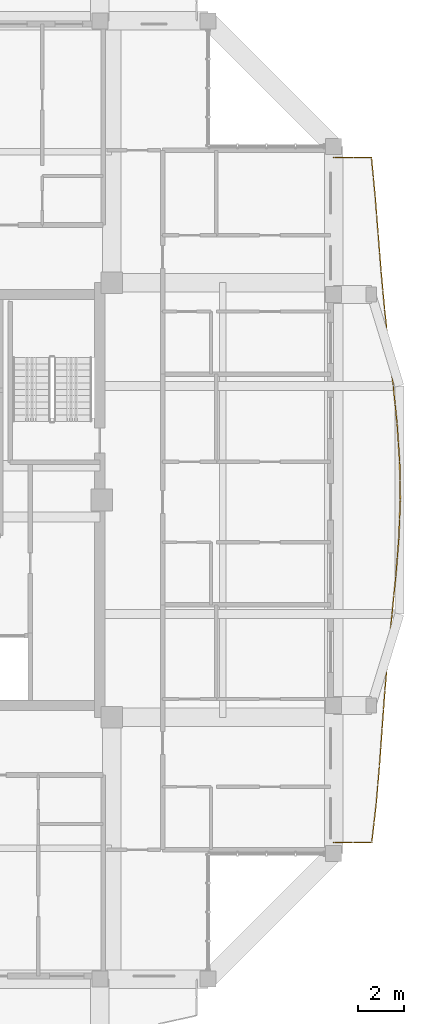
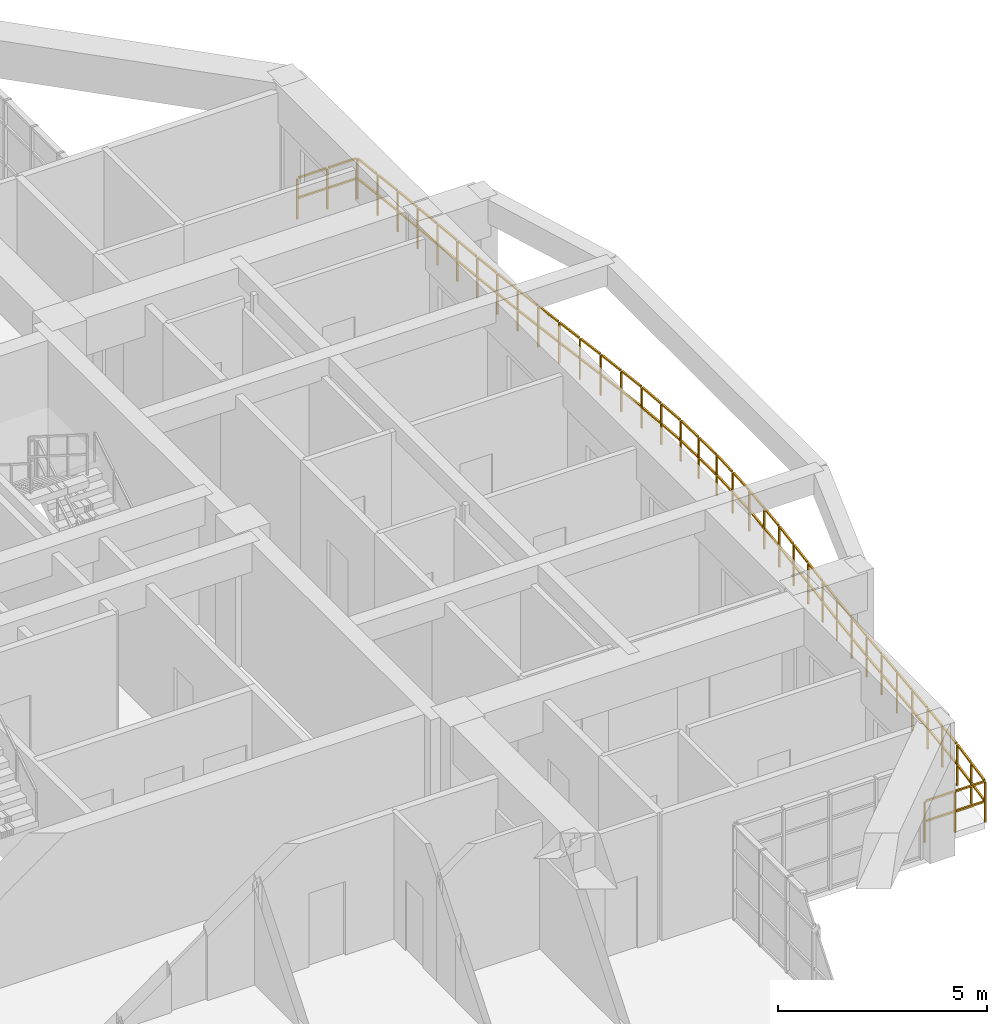
# One storey, part 26 of 27: 1 railing.
"""IFC4 building model written with IfcOpenShell, lengths in metres."""

from ifc_helpers import new_model, si_unit, direction, frame, origin, origin_2d, place, context, subcontext, project, spatial, rectangle, extrude, material, type_object, element, save


model = new_model("IFC4")

# Units and contexts
model_context = context("Model", 3, precision=1e-05, world=origin(), true_north=direction((0.0, 1.0)))
body_context = subcontext(model_context, "Body", "Model", "MODEL_VIEW")
ifc_project = project(units=[si_unit("LENGTHUNIT", "METRE"), si_unit("AREAUNIT", "SQUARE_METRE"), si_unit("VOLUMEUNIT", "CUBIC_METRE"), si_unit("PLANEANGLEUNIT", "RADIAN"), si_unit("MASSUNIT", "GRAM", prefix="KILO")], contexts=[model_context])

# Site, building, storey
site_placement = place(None, origin())
site = spatial("IfcSite", under=ifc_project, at=site_placement, CompositionType="ELEMENT")
building_placement = place(site_placement, origin())
building = spatial("IfcBuilding", under=site, at=building_placement, Name="Saelheon Loggia Tower", CompositionType="ELEMENT")
storey_placement = place(building_placement, frame((0.0, 0.0, 226.199951171875)))
storey = spatial("IfcBuildingStorey", under=building, at=storey_placement, Name="L70", CompositionType="ELEMENT", Elevation=226.199951171875)

# Railing
ifc_material = material(Name="Architectural Precast Concrete and Laminated Glass Guard", Category="concrete")
railing_type = type_object("IfcRailingType", Name="Guard_Loggia_RL_LOG", PredefinedType="BALUSTRADE", material=ifc_material)
railing_placement = place(storey_placement, frame((54.75, 12.0, 0.0)))
element("IfcRailing", 1, at=railing_placement, inside=storey, type_object=railing_type, Name="L70 East Loggia Balustrade", PredefinedType="BALUSTRADE", context=body_context, shape_type="SweptSolid", body=[
    extrude(rectangle(XDim=0.048095703125, YDim=0.048095703125, at=origin_2d()), frame((0.033203125, 0.0, 1.19580078125), z_axis=(1.0, 0.0, 0.0), x_axis=(0.0, 1.0, 0.0)), (0.0, 0.0, 1.0), 0.7685546875),
    extrude(rectangle(XDim=0.048095703125, YDim=0.048095703125, at=origin_2d()), frame((0.033203125, 0.0, 0.60986328125), z_axis=(1.0, 0.0, 0.0), x_axis=(0.0, 1.0, 0.0)), (0.0, 0.0, 1.0), 0.7685546875),
    extrude(rectangle(XDim=0.048095703125, YDim=0.048095703125, at=origin_2d()), frame((0.8681640625, 0.0, 1.19580078125), z_axis=(1.0, 0.0, 0.0), x_axis=(0.0, 1.0, 0.0)), (0.0, 0.0, 1.0), 0.7685546875),
    extrude(rectangle(XDim=0.048095703125, YDim=0.048095703125, at=origin_2d()), frame((0.8681640625, 0.0, 0.60986328125), z_axis=(1.0, 0.0, 0.0), x_axis=(0.0, 1.0, 0.0)), (0.0, 0.0, 1.0), 0.7685546875),
    extrude(rectangle(XDim=0.048095703125, YDim=0.048095703125, at=origin_2d()), frame((1.673828125, 0.032958984375, 1.19580078125), z_axis=(0.113944689513, 0.993487094899, 0.0), x_axis=(-0.993487094899, 0.113944689513, 0.0)), (0.0, 0.0, 1.0), 0.7724609375),
    extrude(rectangle(XDim=0.048095703125, YDim=0.048095703125, at=origin_2d()), frame((1.673828125, 0.032958984375, 0.60986328125), z_axis=(0.113944689513, 0.993487094899, 0.0), x_axis=(-0.993487094899, 0.113944689513, 0.0)), (0.0, 0.0, 1.0), 0.7724609375),
    extrude(rectangle(XDim=0.048095703125, YDim=0.048095703125, at=origin_2d()), frame((1.769287109375, 0.866455078125, 1.19580078125), z_axis=(0.113944689513, 0.993487094899, 0.0), x_axis=(-0.993487094899, 0.113944689513, 0.0)), (0.0, 0.0, 1.0), 0.7724609375),
    extrude(rectangle(XDim=0.048095703125, YDim=0.048095703125, at=origin_2d()), frame((1.769287109375, 0.866455078125, 0.60986328125), z_axis=(0.113944689513, 0.993487094899, 0.0), x_axis=(-0.993487094899, 0.113944689513, 0.0)), (0.0, 0.0, 1.0), 0.7724609375),
    extrude(rectangle(XDim=0.048095703125, YDim=0.048095703125, at=origin_2d()), frame((1.864013671875, 1.699951171875, 1.19580078125), z_axis=(0.085823395114, 0.996310365725, 0.0), x_axis=(-0.996310365725, 0.085823395114, 0.0)), (0.0, 0.0, 1.0), 0.769775390625),
    extrude(rectangle(XDim=0.048095703125, YDim=0.048095703125, at=origin_2d()), frame((1.864013671875, 1.699951171875, 0.60986328125), z_axis=(0.085823395114, 0.996310365725, 0.0), x_axis=(-0.996310365725, 0.085823395114, 0.0)), (0.0, 0.0, 1.0), 0.769775390625),
    extrude(rectangle(XDim=0.048095703125, YDim=0.048095703125, at=origin_2d()), frame((1.935791015625, 2.533203125, 1.19580078125), z_axis=(0.085823395114, 0.996310365725, 0.0), x_axis=(-0.996310365725, 0.085823395114, 0.0)), (0.0, 0.0, 1.0), 0.769775390625),
    extrude(rectangle(XDim=0.048095703125, YDim=0.048095703125, at=origin_2d()), frame((1.935791015625, 2.533203125, 0.60986328125), z_axis=(0.085823395114, 0.996310365725, 0.0), x_axis=(-0.996310365725, 0.085823395114, 0.0)), (0.0, 0.0, 1.0), 0.769775390625),
    extrude(rectangle(XDim=0.048095703125, YDim=0.048095703125, at=origin_2d()), frame((2.007080078125, 3.366455078125, 1.19580078125), z_axis=(0.071153601195, 0.997465370345, 0.0), x_axis=(-0.997465370345, 0.071153601195, 0.0)), (0.0, 0.0, 1.0), 0.76904296875),
    extrude(rectangle(XDim=0.048095703125, YDim=0.048095703125, at=origin_2d()), frame((2.007080078125, 3.366455078125, 0.60986328125), z_axis=(0.071153601195, 0.997465370345, 0.0), x_axis=(-0.997465370345, 0.071153601195, 0.0)), (0.0, 0.0, 1.0), 0.76904296875),
    extrude(rectangle(XDim=0.048095703125, YDim=0.048095703125, at=origin_2d()), frame((2.06640625, 4.19970703125, 1.19580078125), z_axis=(0.071153601195, 0.997465370345, 0.0), x_axis=(-0.997465370345, 0.071153601195, 0.0)), (0.0, 0.0, 1.0), 0.76904296875),
    extrude(rectangle(XDim=0.048095703125, YDim=0.048095703125, at=origin_2d()), frame((2.06640625, 4.19970703125, 0.60986328125), z_axis=(0.071153601195, 0.997465370345, 0.0), x_axis=(-0.997465370345, 0.071153601195, 0.0)), (0.0, 0.0, 1.0), 0.76904296875),
    extrude(rectangle(XDim=0.048095703125, YDim=0.048095703125, at=origin_2d()), frame((2.1259765625, 5.033203125, 1.19580078125), z_axis=(0.073188280205, 0.997318141638, 0.0), x_axis=(-0.997318141638, 0.073188280205, 0.0)), (0.0, 0.0, 1.0), 0.76904296875),
    extrude(rectangle(XDim=0.048095703125, YDim=0.048095703125, at=origin_2d()), frame((2.1259765625, 5.033203125, 0.60986328125), z_axis=(0.073188280205, 0.997318141638, 0.0), x_axis=(-0.997318141638, 0.073188280205, 0.0)), (0.0, 0.0, 1.0), 0.76904296875),
    extrude(rectangle(XDim=0.048095703125, YDim=0.048095703125, at=origin_2d()), frame((2.18701171875, 5.866455078125, 1.19580078125), z_axis=(0.073188280205, 0.997318141638, 0.0), x_axis=(-0.997318141638, 0.073188280205, 0.0)), (0.0, 0.0, 1.0), 0.76904296875),
    extrude(rectangle(XDim=0.048095703125, YDim=0.048095703125, at=origin_2d()), frame((2.18701171875, 5.866455078125, 0.60986328125), z_axis=(0.073188280205, 0.997318141638, 0.0), x_axis=(-0.997318141638, 0.073188280205, 0.0)), (0.0, 0.0, 1.0), 0.76904296875),
    extrude(rectangle(XDim=0.048095703125, YDim=0.048095703125, at=origin_2d()), frame((2.248779296875, 6.699951171875, 1.19580078125), z_axis=(0.086402883771, 0.996260278078, 0.0), x_axis=(-0.996260278078, 0.086402883771, 0.0)), (0.0, 0.0, 1.0), 0.77001953125),
    extrude(rectangle(XDim=0.048095703125, YDim=0.048095703125, at=origin_2d()), frame((2.248779296875, 6.699951171875, 0.60986328125), z_axis=(0.086402883771, 0.996260278078, 0.0), x_axis=(-0.996260278078, 0.086402883771, 0.0)), (0.0, 0.0, 1.0), 0.77001953125),
    extrude(rectangle(XDim=0.048095703125, YDim=0.048095703125, at=origin_2d()), frame((2.321044921875, 7.533203125, 1.19580078125), z_axis=(0.086402883771, 0.996260278078, 0.0), x_axis=(-0.996260278078, 0.086402883771, 0.0)), (0.0, 0.0, 1.0), 0.77001953125),
    extrude(rectangle(XDim=0.048095703125, YDim=0.048095703125, at=origin_2d()), frame((2.321044921875, 7.533203125, 0.60986328125), z_axis=(0.086402883771, 0.996260278078, 0.0), x_axis=(-0.996260278078, 0.086402883771, 0.0)), (0.0, 0.0, 1.0), 0.77001953125),
    extrude(rectangle(XDim=0.048095703125, YDim=0.048095703125, at=origin_2d()), frame((2.393798828125, 8.3662109375, 1.19580078125), z_axis=(0.099258387695, 0.995061692797, 0.0), x_axis=(-0.995061692797, 0.099258387695, 0.0)), (0.0, 0.0, 1.0), 0.77099609375),
    extrude(rectangle(XDim=0.048095703125, YDim=0.048095703125, at=origin_2d()), frame((2.393798828125, 8.3662109375, 0.60986328125), z_axis=(0.099258387695, 0.995061692797, 0.0), x_axis=(-0.995061692797, 0.099258387695, 0.0)), (0.0, 0.0, 1.0), 0.77099609375),
    extrude(rectangle(XDim=0.048095703125, YDim=0.048095703125, at=origin_2d()), frame((2.476806640625, 9.19970703125, 1.19580078125), z_axis=(0.099258387695, 0.995061692797, 0.0), x_axis=(-0.995061692797, 0.099258387695, 0.0)), (0.0, 0.0, 1.0), 0.77099609375),
    extrude(rectangle(XDim=0.048095703125, YDim=0.048095703125, at=origin_2d()), frame((2.476806640625, 9.19970703125, 0.60986328125), z_axis=(0.099258387695, 0.995061692797, 0.0), x_axis=(-0.995061692797, 0.099258387695, 0.0)), (0.0, 0.0, 1.0), 0.77099609375),
    extrude(rectangle(XDim=0.048095703125, YDim=0.048095703125, at=origin_2d()), frame((2.56005859375, 10.032958984375, 1.19580078125), z_axis=(0.099258387695, 0.995061692797, 0.0), x_axis=(-0.995061692797, 0.099258387695, 0.0)), (0.0, 0.0, 1.0), 0.77099609375),
    extrude(rectangle(XDim=0.048095703125, YDim=0.048095703125, at=origin_2d()), frame((2.56005859375, 10.032958984375, 0.60986328125), z_axis=(0.099258387695, 0.995061692797, 0.0), x_axis=(-0.995061692797, 0.099258387695, 0.0)), (0.0, 0.0, 1.0), 0.77099609375),
    extrude(rectangle(XDim=0.048095703125, YDim=0.048095703125, at=origin_2d()), frame((2.64306640625, 10.866455078125, 1.19580078125), z_axis=(0.099258387695, 0.995061692797, 0.0), x_axis=(-0.995061692797, 0.099258387695, 0.0)), (0.0, 0.0, 1.0), 0.77099609375),
    extrude(rectangle(XDim=0.048095703125, YDim=0.048095703125, at=origin_2d()), frame((2.64306640625, 10.866455078125, 0.60986328125), z_axis=(0.099258387695, 0.995061692797, 0.0), x_axis=(-0.995061692797, 0.099258387695, 0.0)), (0.0, 0.0, 1.0), 0.77099609375),
    extrude(rectangle(XDim=0.048095703125, YDim=0.048095703125, at=origin_2d()), frame((2.7255859375, 11.699951171875, 1.19580078125), z_axis=(0.078717763251, 0.996896942391, 0.0), x_axis=(-0.996896942391, 0.078717763251, 0.0)), (0.0, 0.0, 1.0), 0.769287109375),
    extrude(rectangle(XDim=0.048095703125, YDim=0.048095703125, at=origin_2d()), frame((2.7255859375, 11.699951171875, 0.60986328125), z_axis=(0.078717763251, 0.996896942391, 0.0), x_axis=(-0.996896942391, 0.078717763251, 0.0)), (0.0, 0.0, 1.0), 0.769287109375),
    extrude(rectangle(XDim=0.048095703125, YDim=0.048095703125, at=origin_2d()), frame((2.791259765625, 12.533203125, 1.19580078125), z_axis=(0.078717763251, 0.996896942391, 0.0), x_axis=(-0.996896942391, 0.078717763251, 0.0)), (0.0, 0.0, 1.0), 0.769287109375),
    extrude(rectangle(XDim=0.048095703125, YDim=0.048095703125, at=origin_2d()), frame((2.791259765625, 12.533203125, 0.60986328125), z_axis=(0.078717763251, 0.996896942391, 0.0), x_axis=(-0.996896942391, 0.078717763251, 0.0)), (0.0, 0.0, 1.0), 0.769287109375),
    extrude(rectangle(XDim=0.048095703125, YDim=0.048095703125, at=origin_2d()), frame((2.855712890625, 13.366455078125, 1.19580078125), z_axis=(0.037179491042, 0.999308603709, 0.0), x_axis=(-0.999308603709, 0.037179491042, 0.0)), (0.0, 0.0, 1.0), 0.767578125),
    extrude(rectangle(XDim=0.048095703125, YDim=0.048095703125, at=origin_2d()), frame((2.855712890625, 13.366455078125, 0.60986328125), z_axis=(0.037179491042, 0.999308603709, 0.0), x_axis=(-0.999308603709, 0.037179491042, 0.0)), (0.0, 0.0, 1.0), 0.767578125),
    extrude(rectangle(XDim=0.048095703125, YDim=0.048095703125, at=origin_2d()), frame((2.88671875, 14.199951171875, 1.19580078125), z_axis=(0.037179491042, 0.999308603709, 0.0), x_axis=(-0.999308603709, 0.037179491042, 0.0)), (0.0, 0.0, 1.0), 0.767578125),
    extrude(rectangle(XDim=0.048095703125, YDim=0.048095703125, at=origin_2d()), frame((2.88671875, 14.199951171875, 0.60986328125), z_axis=(0.037179491042, 0.999308603709, 0.0), x_axis=(-0.999308603709, 0.037179491042, 0.0)), (0.0, 0.0, 1.0), 0.767578125),
    extrude(rectangle(XDim=0.048095703125, YDim=0.048095703125, at=origin_2d()), frame((2.916015625, 15.033203125, 1.19580078125), z_axis=(-0.015817560951, 0.999874894557, 0.0), x_axis=(-0.999874894557, -0.015817560951, 0.0)), (0.0, 0.0, 1.0), 0.76708984375),
    extrude(rectangle(XDim=0.048095703125, YDim=0.048095703125, at=origin_2d()), frame((2.916015625, 15.033203125, 0.60986328125), z_axis=(-0.015817560951, 0.999874894557, 0.0), x_axis=(-0.999874894557, -0.015817560951, 0.0)), (0.0, 0.0, 1.0), 0.76708984375),
    extrude(rectangle(XDim=0.048095703125, YDim=0.048095703125, at=origin_2d()), frame((2.90283203125, 15.86669921875, 1.19580078125), z_axis=(-0.015817560951, 0.999874894557, 0.0), x_axis=(-0.999874894557, -0.015817560951, 0.0)), (0.0, 0.0, 1.0), 0.76708984375),
    extrude(rectangle(XDim=0.048095703125, YDim=0.048095703125, at=origin_2d()), frame((2.90283203125, 15.86669921875, 0.60986328125), z_axis=(-0.015817560951, 0.999874894557, 0.0), x_axis=(-0.999874894557, -0.015817560951, 0.0)), (0.0, 0.0, 1.0), 0.76708984375),
    extrude(rectangle(XDim=0.048095703125, YDim=0.048095703125, at=origin_2d()), frame((2.887939453125, 16.699951171875, 1.19580078125), z_axis=(-0.066509308686, 0.997785804598, 0.0), x_axis=(-0.997785804598, -0.066509308686, 0.0)), (0.0, 0.0, 1.0), 0.7685546875),
    extrude(rectangle(XDim=0.048095703125, YDim=0.048095703125, at=origin_2d()), frame((2.887939453125, 16.699951171875, 0.60986328125), z_axis=(-0.066509308686, 0.997785804598, 0.0), x_axis=(-0.997785804598, -0.066509308686, 0.0)), (0.0, 0.0, 1.0), 0.7685546875),
    extrude(rectangle(XDim=0.048095703125, YDim=0.048095703125, at=origin_2d()), frame((2.832275390625, 17.533203125, 1.19580078125), z_axis=(-0.066509308686, 0.997785804598, 0.0), x_axis=(-0.997785804598, -0.066509308686, 0.0)), (0.0, 0.0, 1.0), 0.7685546875),
    extrude(rectangle(XDim=0.048095703125, YDim=0.048095703125, at=origin_2d()), frame((2.832275390625, 17.533203125, 0.60986328125), z_axis=(-0.066509308686, 0.997785804598, 0.0), x_axis=(-0.997785804598, -0.066509308686, 0.0)), (0.0, 0.0, 1.0), 0.7685546875),
    extrude(rectangle(XDim=0.048095703125, YDim=0.048095703125, at=origin_2d()), frame((2.775634765625, 18.3662109375, 1.19580078125), z_axis=(-0.101855086203, 0.99479924679, 0.0), x_axis=(-0.99479924679, -0.101855086203, 0.0)), (0.0, 0.0, 1.0), 0.771240234375),
    extrude(rectangle(XDim=0.048095703125, YDim=0.048095703125, at=origin_2d()), frame((2.775634765625, 18.3662109375, 0.60986328125), z_axis=(-0.101855086203, 0.99479924679, 0.0), x_axis=(-0.99479924679, -0.101855086203, 0.0)), (0.0, 0.0, 1.0), 0.771240234375),
    extrude(rectangle(XDim=0.048095703125, YDim=0.048095703125, at=origin_2d()), frame((2.6904296875, 19.19970703125, 1.19580078125), z_axis=(-0.101855086203, 0.99479924679, 0.0), x_axis=(-0.99479924679, -0.101855086203, 0.0)), (0.0, 0.0, 1.0), 0.771240234375),
    extrude(rectangle(XDim=0.048095703125, YDim=0.048095703125, at=origin_2d()), frame((2.6904296875, 19.19970703125, 0.60986328125), z_axis=(-0.101855086203, 0.99479924679, 0.0), x_axis=(-0.99479924679, -0.101855086203, 0.0)), (0.0, 0.0, 1.0), 0.771240234375),
    extrude(rectangle(XDim=0.048095703125, YDim=0.048095703125, at=origin_2d()), frame((2.6044921875, 20.032958984375, 1.19580078125), z_axis=(-0.11494995089, 0.99337128446, 0.0), x_axis=(-0.99337128446, -0.11494995089, 0.0)), (0.0, 0.0, 1.0), 0.7724609375),
    extrude(rectangle(XDim=0.048095703125, YDim=0.048095703125, at=origin_2d()), frame((2.6044921875, 20.032958984375, 0.60986328125), z_axis=(-0.11494995089, 0.99337128446, 0.0), x_axis=(-0.99337128446, -0.11494995089, 0.0)), (0.0, 0.0, 1.0), 0.7724609375),
    extrude(rectangle(XDim=0.048095703125, YDim=0.048095703125, at=origin_2d()), frame((2.508056640625, 20.866455078125, 1.19580078125), z_axis=(-0.11494995089, 0.99337128446, 0.0), x_axis=(-0.99337128446, -0.11494995089, 0.0)), (0.0, 0.0, 1.0), 0.7724609375),
    extrude(rectangle(XDim=0.048095703125, YDim=0.048095703125, at=origin_2d()), frame((2.508056640625, 20.866455078125, 0.60986328125), z_axis=(-0.11494995089, 0.99337128446, 0.0), x_axis=(-0.99337128446, -0.11494995089, 0.0)), (0.0, 0.0, 1.0), 0.7724609375),
    extrude(rectangle(XDim=0.048095703125, YDim=0.048095703125, at=origin_2d()), frame((2.411865234375, 21.69970703125, 1.19580078125), z_axis=(-0.108641144333, 0.994081033799, 0.0), x_axis=(-0.994081033799, -0.108641144333, 0.0)), (0.0, 0.0, 1.0), 0.771728515625),
    extrude(rectangle(XDim=0.048095703125, YDim=0.048095703125, at=origin_2d()), frame((2.411865234375, 21.69970703125, 0.60986328125), z_axis=(-0.108641144333, 0.994081033799, 0.0), x_axis=(-0.994081033799, -0.108641144333, 0.0)), (0.0, 0.0, 1.0), 0.771728515625),
    extrude(rectangle(XDim=0.048095703125, YDim=0.048095703125, at=origin_2d()), frame((2.32080078125, 22.532958984375, 1.19580078125), z_axis=(-0.108641144333, 0.994081033799, 0.0), x_axis=(-0.994081033799, -0.108641144333, 0.0)), (0.0, 0.0, 1.0), 0.771728515625),
    extrude(rectangle(XDim=0.048095703125, YDim=0.048095703125, at=origin_2d()), frame((2.32080078125, 22.532958984375, 0.60986328125), z_axis=(-0.108641144333, 0.994081033799, 0.0), x_axis=(-0.994081033799, -0.108641144333, 0.0)), (0.0, 0.0, 1.0), 0.771728515625),
    extrude(rectangle(XDim=0.048095703125, YDim=0.048095703125, at=origin_2d()), frame((2.230224609375, 23.366455078125, 1.19580078125), z_axis=(-0.092179464317, 0.995742409641, 0.0), x_axis=(-0.995742409641, -0.092179464317, 0.0)), (0.0, 0.0, 1.0), 0.7705078125),
    extrude(rectangle(XDim=0.048095703125, YDim=0.048095703125, at=origin_2d()), frame((2.230224609375, 23.366455078125, 0.60986328125), z_axis=(-0.092179464317, 0.995742409641, 0.0), x_axis=(-0.995742409641, -0.092179464317, 0.0)), (0.0, 0.0, 1.0), 0.7705078125),
    extrude(rectangle(XDim=0.048095703125, YDim=0.048095703125, at=origin_2d()), frame((2.153076171875, 24.19970703125, 1.19580078125), z_axis=(-0.092179464317, 0.995742409641, 0.0), x_axis=(-0.995742409641, -0.092179464317, 0.0)), (0.0, 0.0, 1.0), 0.7705078125),
    extrude(rectangle(XDim=0.048095703125, YDim=0.048095703125, at=origin_2d()), frame((2.153076171875, 24.19970703125, 0.60986328125), z_axis=(-0.092179464317, 0.995742409641, 0.0), x_axis=(-0.995742409641, -0.092179464317, 0.0)), (0.0, 0.0, 1.0), 0.7705078125),
    extrude(rectangle(XDim=0.048095703125, YDim=0.048095703125, at=origin_2d()), frame((2.076416015625, 25.033203125, 1.19580078125), z_axis=(-0.078851420083, 0.996886379459, 0.0), x_axis=(-0.996886379459, -0.078851420083, 0.0)), (0.0, 0.0, 1.0), 0.76953125),
    extrude(rectangle(XDim=0.048095703125, YDim=0.048095703125, at=origin_2d()), frame((2.076416015625, 25.033203125, 0.60986328125), z_axis=(-0.078851420083, 0.996886379459, 0.0), x_axis=(-0.996886379459, -0.078851420083, 0.0)), (0.0, 0.0, 1.0), 0.76953125),
    extrude(rectangle(XDim=0.048095703125, YDim=0.048095703125, at=origin_2d()), frame((2.010498046875, 25.866455078125, 1.19580078125), z_axis=(-0.078851420083, 0.996886379459, 0.0), x_axis=(-0.996886379459, -0.078851420083, 0.0)), (0.0, 0.0, 1.0), 0.76953125),
    extrude(rectangle(XDim=0.048095703125, YDim=0.048095703125, at=origin_2d()), frame((2.010498046875, 25.866455078125, 0.60986328125), z_axis=(-0.078851420083, 0.996886379459, 0.0), x_axis=(-0.996886379459, -0.078851420083, 0.0)), (0.0, 0.0, 1.0), 0.76953125),
    extrude(rectangle(XDim=0.048095703125, YDim=0.048095703125, at=origin_2d()), frame((1.944580078125, 26.699951171875, 1.19580078125), z_axis=(-0.078717763251, 0.996896942391, 0.0), x_axis=(-0.996896942391, -0.078717763251, 0.0)), (0.0, 0.0, 1.0), 0.769287109375),
    extrude(rectangle(XDim=0.048095703125, YDim=0.048095703125, at=origin_2d()), frame((1.944580078125, 26.699951171875, 0.60986328125), z_axis=(-0.078717763251, 0.996896942391, 0.0), x_axis=(-0.996896942391, -0.078717763251, 0.0)), (0.0, 0.0, 1.0), 0.769287109375),
    extrude(rectangle(XDim=0.048095703125, YDim=0.048095703125, at=origin_2d()), frame((1.87890625, 27.533203125, 1.19580078125), z_axis=(-0.078717763251, 0.996896942391, 0.0), x_axis=(-0.996896942391, -0.078717763251, 0.0)), (0.0, 0.0, 1.0), 0.769287109375),
    extrude(rectangle(XDim=0.048095703125, YDim=0.048095703125, at=origin_2d()), frame((1.87890625, 27.533203125, 0.60986328125), z_axis=(-0.078717763251, 0.996896942391, 0.0), x_axis=(-0.996896942391, -0.078717763251, 0.0)), (0.0, 0.0, 1.0), 0.769287109375),
    extrude(rectangle(XDim=0.048095703125, YDim=0.048095703125, at=origin_2d()), frame((1.8125, 28.366455078125, 1.19580078125), z_axis=(-0.095215063938, 0.995456725126, 0.0), x_axis=(-0.995456725126, -0.095215063938, 0.0)), (0.0, 0.0, 1.0), 0.770751953125),
    extrude(rectangle(XDim=0.048095703125, YDim=0.048095703125, at=origin_2d()), frame((1.8125, 28.366455078125, 0.60986328125), z_axis=(-0.095215063938, 0.995456725126, 0.0), x_axis=(-0.995456725126, -0.095215063938, 0.0)), (0.0, 0.0, 1.0), 0.770751953125),
    extrude(rectangle(XDim=0.048095703125, YDim=0.048095703125, at=origin_2d()), frame((1.73291015625, 29.19970703125, 1.19580078125), z_axis=(-0.095215063938, 0.995456725126, 0.0), x_axis=(-0.995456725126, -0.095215063938, 0.0)), (0.0, 0.0, 1.0), 0.770751953125),
    extrude(rectangle(XDim=0.048095703125, YDim=0.048095703125, at=origin_2d()), frame((1.73291015625, 29.19970703125, 0.60986328125), z_axis=(-0.095215063938, 0.995456725126, 0.0), x_axis=(-0.995456725126, -0.095215063938, 0.0)), (0.0, 0.0, 1.0), 0.770751953125),
    extrude(rectangle(XDim=0.048095703125, YDim=0.048095703125, at=origin_2d()), frame((1.623046875, 30.0, 1.19580078125), z_axis=(-1.0, 0.0, 0.0), x_axis=(0.0, -1.0, 0.0)), (0.0, 0.0, 1.0), 0.76171875),
    extrude(rectangle(XDim=0.048095703125, YDim=0.048095703125, at=origin_2d()), frame((1.623046875, 30.0, 0.60986328125), z_axis=(-1.0, 0.0, 0.0), x_axis=(0.0, -1.0, 0.0)), (0.0, 0.0, 1.0), 0.76171875),
    extrude(rectangle(XDim=0.048095703125, YDim=0.048095703125, at=origin_2d()), frame((0.794921875, 30.0, 1.19580078125), z_axis=(-1.0, 0.0, 0.0), x_axis=(0.0, -1.0, 0.0)), (0.0, 0.0, 1.0), 0.76171875),
    extrude(rectangle(XDim=0.048095703125, YDim=0.048095703125, at=origin_2d()), frame((0.794921875, 30.0, 0.60986328125), z_axis=(-1.0, 0.0, 0.0), x_axis=(0.0, -1.0, 0.0)), (0.0, 0.0, 1.0), 0.76171875),
    extrude(rectangle(XDim=0.0419921875, YDim=0.0419921875, at=origin_2d()), origin(), (0.0, 0.0, 1.0), 1.16796875),
    extrude(rectangle(XDim=0.0419921875, YDim=0.0419921875, at=origin_2d()), frame((0.8349609375, 0.0, 0.0)), (0.0, 0.0, 1.0), 1.16796875),
    extrude(rectangle(XDim=0.0419921875, YDim=0.0419921875, at=origin_2d()), frame((1.669921875, 0.0, 0.0)), (0.0, 0.0, 1.0), 1.16796875),
    extrude(rectangle(XDim=0.0419921875, YDim=0.0419921875, at=origin_2d()), frame((1.765625, 0.83349609375, 0.0)), (0.0, 0.0, 1.0), 1.16796875),
    extrude(rectangle(XDim=0.0419921875, YDim=0.0419921875, at=origin_2d()), frame((1.861083984375, 1.666748046875, 0.0)), (0.0, 0.0, 1.0), 1.16796875),
    extrude(rectangle(XDim=0.0419921875, YDim=0.0419921875, at=origin_2d()), frame((1.932861328125, 2.5, 0.0)), (0.0, 0.0, 1.0), 1.16796875),
    extrude(rectangle(XDim=0.0419921875, YDim=0.0419921875, at=origin_2d()), frame((2.004638671875, 3.333251953125, 0.0)), (0.0, 0.0, 1.0), 1.16796875),
    extrude(rectangle(XDim=0.0419921875, YDim=0.0419921875, at=origin_2d()), frame((2.06396484375, 4.16650390625, 0.0)), (0.0, 0.0, 1.0), 1.16796875),
    extrude(rectangle(XDim=0.0419921875, YDim=0.0419921875, at=origin_2d()), frame((2.12353515625, 5.0, 0.0)), (0.0, 0.0, 1.0), 1.16796875),
    extrude(rectangle(XDim=0.0419921875, YDim=0.0419921875, at=origin_2d()), frame((2.1845703125, 5.83349609375, 0.0)), (0.0, 0.0, 1.0), 1.16796875),
    extrude(rectangle(XDim=0.0419921875, YDim=0.0419921875, at=origin_2d()), frame((2.245849609375, 6.666748046875, 0.0)), (0.0, 0.0, 1.0), 1.16796875),
    extrude(rectangle(XDim=0.0419921875, YDim=0.0419921875, at=origin_2d()), frame((2.318115234375, 7.5, 0.0)), (0.0, 0.0, 1.0), 1.16796875),
    extrude(rectangle(XDim=0.0419921875, YDim=0.0419921875, at=origin_2d()), frame((2.390380859375, 8.333251953125, 0.0)), (0.0, 0.0, 1.0), 1.16796875),
    extrude(rectangle(XDim=0.0419921875, YDim=0.0419921875, at=origin_2d()), frame((2.4736328125, 9.16650390625, 0.0)), (0.0, 0.0, 1.0), 1.16796875),
    extrude(rectangle(XDim=0.0419921875, YDim=0.0419921875, at=origin_2d()), frame((2.556640625, 10.0, 0.0)), (0.0, 0.0, 1.0), 1.16796875),
    extrude(rectangle(XDim=0.0419921875, YDim=0.0419921875, at=origin_2d()), frame((2.6396484375, 10.83349609375, 0.0)), (0.0, 0.0, 1.0), 1.16796875),
    extrude(rectangle(XDim=0.0419921875, YDim=0.0419921875, at=origin_2d()), frame((2.722900390625, 11.666748046875, 0.0)), (0.0, 0.0, 1.0), 1.16796875),
    extrude(rectangle(XDim=0.0419921875, YDim=0.0419921875, at=origin_2d()), frame((2.78857421875, 12.5, 0.0)), (0.0, 0.0, 1.0), 1.16796875),
    extrude(rectangle(XDim=0.0419921875, YDim=0.0419921875, at=origin_2d()), frame((2.8544921875, 13.333251953125, 0.0)), (0.0, 0.0, 1.0), 1.16796875),
    extrude(rectangle(XDim=0.0419921875, YDim=0.0419921875, at=origin_2d()), frame((2.885498046875, 14.16650390625, 0.0)), (0.0, 0.0, 1.0), 1.16796875),
    extrude(rectangle(XDim=0.0419921875, YDim=0.0419921875, at=origin_2d()), frame((2.91650390625, 15.0, 0.0)), (0.0, 0.0, 1.0), 1.16796875),
    extrude(rectangle(XDim=0.0419921875, YDim=0.0419921875, at=origin_2d()), frame((2.9033203125, 15.83349609375, 0.0)), (0.0, 0.0, 1.0), 1.16796875),
    extrude(rectangle(XDim=0.0419921875, YDim=0.0419921875, at=origin_2d()), frame((2.89013671875, 16.666748046875, 0.0)), (0.0, 0.0, 1.0), 1.16796875),
    extrude(rectangle(XDim=0.0419921875, YDim=0.0419921875, at=origin_2d()), frame((2.83447265625, 17.5, 0.0)), (0.0, 0.0, 1.0), 1.16796875),
    extrude(rectangle(XDim=0.0419921875, YDim=0.0419921875, at=origin_2d()), frame((2.779052734375, 18.333251953125, 0.0)), (0.0, 0.0, 1.0), 1.16796875),
    extrude(rectangle(XDim=0.0419921875, YDim=0.0419921875, at=origin_2d()), frame((2.69384765625, 19.16650390625, 0.0)), (0.0, 0.0, 1.0), 1.16796875),
    extrude(rectangle(XDim=0.0419921875, YDim=0.0419921875, at=origin_2d()), frame((2.6083984375, 20.0, 0.0)), (0.0, 0.0, 1.0), 1.16796875),
    extrude(rectangle(XDim=0.0419921875, YDim=0.0419921875, at=origin_2d()), frame((2.511962890625, 20.83349609375, 0.0)), (0.0, 0.0, 1.0), 1.16796875),
    extrude(rectangle(XDim=0.0419921875, YDim=0.0419921875, at=origin_2d()), frame((2.41552734375, 21.666748046875, 0.0)), (0.0, 0.0, 1.0), 1.16796875),
    extrude(rectangle(XDim=0.0419921875, YDim=0.0419921875, at=origin_2d()), frame((2.324462890625, 22.5, 0.0)), (0.0, 0.0, 1.0), 1.16796875),
    extrude(rectangle(XDim=0.0419921875, YDim=0.0419921875, at=origin_2d()), frame((2.2333984375, 23.333251953125, 0.0)), (0.0, 0.0, 1.0), 1.16796875),
    extrude(rectangle(XDim=0.0419921875, YDim=0.0419921875, at=origin_2d()), frame((2.15625, 24.16650390625, 0.0)), (0.0, 0.0, 1.0), 1.16796875),
    extrude(rectangle(XDim=0.0419921875, YDim=0.0419921875, at=origin_2d()), frame((2.0791015625, 25.0, 0.0)), (0.0, 0.0, 1.0), 1.16796875),
    extrude(rectangle(XDim=0.0419921875, YDim=0.0419921875, at=origin_2d()), frame((2.01318359375, 25.83349609375, 0.0)), (0.0, 0.0, 1.0), 1.16796875),
    extrude(rectangle(XDim=0.0419921875, YDim=0.0419921875, at=origin_2d()), frame((1.947265625, 26.666748046875, 0.0)), (0.0, 0.0, 1.0), 1.16796875),
    extrude(rectangle(XDim=0.0419921875, YDim=0.0419921875, at=origin_2d()), frame((1.88134765625, 27.5, 0.0)), (0.0, 0.0, 1.0), 1.16796875),
    extrude(rectangle(XDim=0.0419921875, YDim=0.0419921875, at=origin_2d()), frame((1.815673828125, 28.333251953125, 0.0)), (0.0, 0.0, 1.0), 1.16796875),
    extrude(rectangle(XDim=0.0419921875, YDim=0.0419921875, at=origin_2d()), frame((1.73583984375, 29.16650390625, 0.0)), (0.0, 0.0, 1.0), 1.16796875),
    extrude(rectangle(XDim=0.0419921875, YDim=0.0419921875, at=origin_2d()), frame((1.65625, 30.0, 0.0)), (0.0, 0.0, 1.0), 1.16796875),
    extrude(rectangle(XDim=0.0419921875, YDim=0.0419921875, at=origin_2d()), frame((0.828125, 30.0, 0.0)), (0.0, 0.0, 1.0), 1.16796875),
    extrude(rectangle(XDim=0.0419921875, YDim=0.0419921875, at=origin_2d()), frame((0.0, 30.0, 0.0)), (0.0, 0.0, 1.0), 1.16796875),
])

save(model, "model.ifc")
